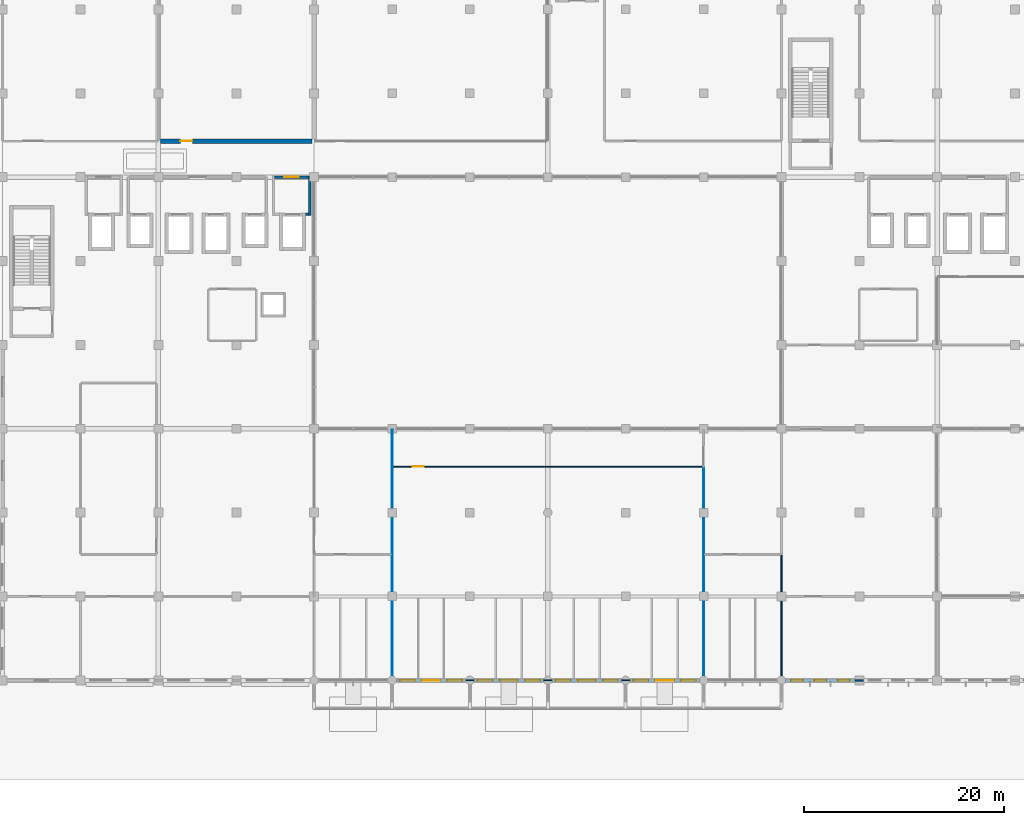
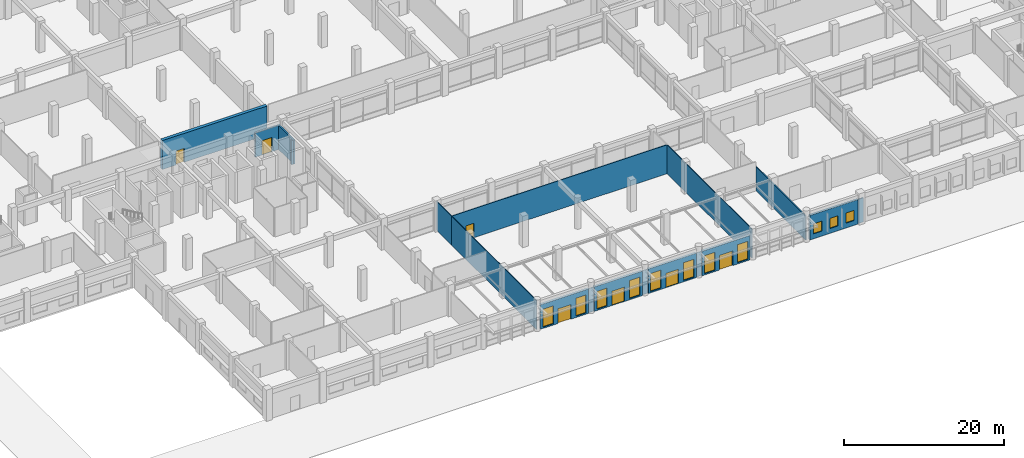
# One storey, part 49 of 74: 18 walls, 11 windows, 7 doors, 18 openings.
"""IFC4 building model written with IfcOpenShell, lengths in metres."""

from ifc_helpers import new_model, si_unit, direction, frame, frame_2d, origin, place, context, subcontext, project, spatial, rectangle, extrude, material, layer, layer_set, type_object, element, fill, save


model = new_model("IFC4")

# Units and contexts
model_context = context("Model", 3, precision=1e-05, world=origin(), true_north=direction((0.0, 1.0)))
body_context = subcontext(model_context, "Body", "Model", "MODEL_VIEW")
ifc_project = project(units=[si_unit("LENGTHUNIT", "METRE"), si_unit("AREAUNIT", "SQUARE_METRE"), si_unit("VOLUMEUNIT", "CUBIC_METRE"), si_unit("PLANEANGLEUNIT", "RADIAN"), si_unit("MASSUNIT", "GRAM", prefix="KILO"), si_unit("THERMODYNAMICTEMPERATUREUNIT", "KELVIN"), si_unit("POWERUNIT", "WATT")], contexts=[model_context])

# Site, building, storey
site_placement = place(None, origin())
site = spatial("IfcSite", under=ifc_project, at=site_placement, CompositionType="ELEMENT")
building_placement = place(site_placement, origin())
building = spatial("IfcBuilding", under=site, at=building_placement, Name="Srebrne Nadtorze General Hospital", CompositionType="ELEMENT")
storey_placement = place(building_placement, origin())
storey = spatial("IfcBuildingStorey", under=building, at=storey_placement, Name="L00", CompositionType="ELEMENT", Elevation=0.0)

# Walls
ifc_material_1 = material(Name="Gypsum Healthcare Partition")
ifc_layer_1 = layer(ifc_material_1, 0.139892578125)
ifc_layer_set_1 = layer_set([ifc_layer_1], Name="Gypsum Healthcare Partition")
wall_type_1 = type_object("IfcWallType", Name="Clinical partition 140", PredefinedType="PARTITIONING", material=ifc_layer_set_1)
wall_1_placement = place(storey_placement, frame((101.39990234375, 0.0849609375, 0.0), z_axis=(0.0, 0.0, 1.0), x_axis=(0.0, 1.0, 0.0)))
element("IfcWall", 1, at=wall_1_placement, inside=storey, type_object=wall_type_1, Name="Hospital Health Shop wall WL-INT-L00-1294", PredefinedType="PARTITIONING", context=body_context, shape_type="SweptSolid", body=[
    extrude(rectangle(XDim=12.429931640625, YDim=0.139892578125, at=frame_2d((6.21484375, 0.0))), origin(), (0.0, 0.0, 1.0), 3.699951171875),
])
ifc_material_2 = material(Name="Gypsum Healthcare Partition")
ifc_layer_2 = layer(ifc_material_2, 0.159912109375)
ifc_layer_set_2 = layer_set([ifc_layer_2], Name="Gypsum Healthcare Partition")
wall_type_2 = type_object("IfcWallType", Name="Clinical partition 160", PredefinedType="PARTITIONING", material=ifc_layer_set_2)
wall_2_placement = place(storey_placement, frame((108.7900390625, 0.0, 0.0), z_axis=(0.0, 0.0, 1.0), x_axis=(1.0, 0.0, 0.0)))
element("IfcWall", 2, at=wall_2_placement, inside=storey, type_object=wall_type_2, Name="Outpatient Consultation Clinic wall WL-INT-L00-1361", PredefinedType="PARTITIONING", context=body_context, shape_type="SweptSolid", body=[
    extrude(rectangle(XDim=0.820068359375, YDim=0.159912109375, at=frame_2d((0.41015625, 0.0))), origin(), (0.0, 0.0, 1.0), 3.699951171875),
])
ifc_material_3 = material(Name="Gypsum Healthcare Partition")
ifc_layer_3 = layer(ifc_material_3, 0.239990234375)
ifc_layer_set_3 = layer_set([ifc_layer_3], Name="Gypsum Healthcare Partition")
wall_type_3 = type_object("IfcWallType", Name="Corridor fire wall 240", PredefinedType="STANDARD", material=ifc_layer_set_3)
wall_3_placement = place(storey_placement, frame((54.139892578125, 46.570068359375, 0.0), z_axis=(0.0, 0.0, 1.0), x_axis=(0.0, 1.0, 0.0)))
element("IfcWall", 3, at=wall_3_placement, inside=storey, type_object=wall_type_3, Name="FF lift lobby wall WL-INT-L00-0897", PredefinedType="STANDARD", context=body_context, shape_type="SweptSolid", body=[
    extrude(rectangle(XDim=3.949951171875, YDim=0.239990234375, at=frame_2d((1.97509765625, 0.0))), origin(), (0.0, 0.0, 1.0), 3.699951171875),
])
wall_4_placement = place(storey_placement, frame((53.75, 46.68994140625, 0.0), z_axis=(0.0, 0.0, 1.0), x_axis=(1.0, 0.0, 0.0)))
element("IfcWall", 4, at=wall_4_placement, inside=storey, type_object=wall_type_3, Name="FF lift lobby return wall WL-INT-L00-0899", PredefinedType="STANDARD", context=body_context, shape_type="SweptSolid", body=[
    extrude(rectangle(XDim=0.27001953125, YDim=0.239990234375, at=frame_2d((0.135009765625, 0.0))), origin(), (0.0, 0.0, 1.0), 3.699951171875),
])

# Wall, opening, door
wall_5_placement = place(storey_placement, frame((50.64990234375, 50.39990234375, 0.0), z_axis=(0.0, 0.0, 1.0), x_axis=(1.0, 0.0, 0.0)))
wall_5 = element("IfcWall", 5, at=wall_5_placement, inside=storey, type_object=wall_type_3, Name="FF lift lobby front wall WL-INT-L00-0900", PredefinedType="STANDARD", context=body_context, shape_type="SweptSolid", body=[
    extrude(rectangle(XDim=3.3701171875, YDim=0.239990234375, at=frame_2d((1.68505859375, 0.0))), origin(), (0.0, 0.0, 1.0), 3.699951171875),
])
opening_1_placement = place(wall_5_placement, frame((0.9599609375, 0.0, 0.0)))
opening_1 = element("IfcOpeningElement", 6, at=opening_1_placement, cuts=wall_5, Name="Opening D-L00-0123", PredefinedType="OPENING", context=body_context, shape_type="SweptSolid", body=[
    extrude(rectangle(XDim=1.449951171875, YDim=2.199951171875, at=frame_2d((0.72509765625, 1.10009765625))), frame((0.0, 0.1318359375, 0.0), z_axis=(0.0, -1.0, 0.0), x_axis=(1.0, 0.0, 0.0)), (0.0, 0.0, 1.0), 0.263916015625),
])
ifc_material_4 = material(Name="Anodised Aluminium", Category="aluminium")
door_type_1 = type_object("IfcDoorType", Name="Double leaf door 1450x2200", OperationType="DOUBLE_DOOR_SINGLE_SWING", PredefinedType="DOOR", material=ifc_material_4)
door_1_placement = place(opening_1_placement, origin())
door_1 = element("IfcDoor", 7, at=door_1_placement, inside=storey, type_object=door_type_1, Name="Firefighting lift lobby door D-L00-0123", OperationType="DOUBLE_DOOR_SINGLE_SWING", OverallHeight=2.199951171875, OverallWidth=1.449951171875, PredefinedType="DOOR", context=body_context, shape_type="SweptSolid", body=[
    extrude(rectangle(XDim=1.449951171875, YDim=2.199951171875, at=frame_2d((0.72509765625, 1.10009765625))), frame((0.0, 0.02490234375, 0.0), z_axis=(0.0, -1.0, 0.0), x_axis=(1.0, 0.0, 0.0)), (0.0, 0.0, 1.0), 0.050048828125),
])
fill(opening_1, door_1)

# Wall, openings, windows
ifc_material_5 = material(Name="Concrete C40/50 precast", Category="concrete")
ifc_layer_4 = layer(ifc_material_5, 0.300048828125)
ifc_layer_set_4 = layer_set([ifc_layer_4], Name="Concrete C40/50 precast")
wall_type_4 = type_object("IfcWallType", Name="Limestone precast wall 300", PredefinedType="STANDARD", material=ifc_layer_set_4)
wall_6_placement = place(storey_placement, frame((101.824951171875, 0.0, 0.0), z_axis=(0.0, 0.0, 1.0), x_axis=(1.0, 0.0, 0.0)))
wall_6 = element("IfcWall", 8, at=wall_6_placement, inside=storey, type_object=wall_type_4, Name="Exterior wall WL-ENV-L00-0085", PredefinedType="STANDARD", context=body_context, shape_type="SweptSolid", body=[
    extrude(rectangle(XDim=6.925048828125, YDim=0.300048828125, at=frame_2d((3.46240234375, 0.0))), origin(), (0.0, 0.0, 1.0), 3.75),
])
opening_2_placement = place(wall_6_placement, frame((0.534912109375, 0.0, 0.75)))
opening_2 = element("IfcOpeningElement", 9, at=opening_2_placement, cuts=wall_6, Name="Opening WN-L00-0015", PredefinedType="OPENING", context=body_context, shape_type="SweptSolid", body=[
    extrude(rectangle(XDim=1.199951171875, YDim=1.550048828125, at=frame_2d((0.60009765625, 0.77490234375))), frame((0.0, 0.162109375, 0.0), z_axis=(0.0, -1.0, 0.0), x_axis=(1.0, 0.0, 0.0)), (0.0, 0.0, 1.0), 0.323974609375),
])
opening_3_placement = place(wall_6_placement, frame((2.875, 0.0, 0.75)))
opening_3 = element("IfcOpeningElement", 10, at=opening_3_placement, cuts=wall_6, Name="Opening WN-L00-0016", PredefinedType="OPENING", context=body_context, shape_type="SweptSolid", body=[
    extrude(rectangle(XDim=1.199951171875, YDim=1.550048828125, at=frame_2d((0.60009765625, 0.77490234375))), frame((0.0, 0.162109375, 0.0), z_axis=(0.0, -1.0, 0.0), x_axis=(1.0, 0.0, 0.0)), (0.0, 0.0, 1.0), 0.323974609375),
])
opening_4_placement = place(wall_6_placement, frame((5.215087890625, 0.0, 0.75)))
opening_4 = element("IfcOpeningElement", 11, at=opening_4_placement, cuts=wall_6, Name="Opening WN-L00-0017", PredefinedType="OPENING", context=body_context, shape_type="SweptSolid", body=[
    extrude(rectangle(XDim=1.199951171875, YDim=1.550048828125, at=frame_2d((0.60009765625, 0.77490234375))), frame((0.0, 0.162109375, 0.0), z_axis=(0.0, -1.0, 0.0), x_axis=(1.0, 0.0, 0.0)), (0.0, 0.0, 1.0), 0.323974609375),
])
ifc_material_6 = material(Name="Triple Low-E Glazing", Category="glass")
window_type_1 = type_object("IfcWindowType", Name="Punched clinical window 1200x1550", PartitioningType="SINGLE_PANEL", PredefinedType="WINDOW", material=ifc_material_6)
window_1_placement = place(opening_2_placement, origin())
window_1 = element("IfcWindow", 12, at=window_1_placement, inside=storey, type_object=window_type_1, Name="Clinical window WN-L00-0015", OverallHeight=1.550048828125, OverallWidth=1.199951171875, PartitioningType="SINGLE_PANEL", PredefinedType="WINDOW", context=body_context, shape_type="SweptSolid", body=[
    extrude(rectangle(XDim=1.199951171875, YDim=1.550048828125, at=frame_2d((0.60009765625, 0.77490234375))), frame((0.0, 0.030029296875, 0.0), z_axis=(0.0, -1.0, 0.0), x_axis=(1.0, 0.0, 0.0)), (0.0, 0.0, 1.0), 0.06005859375),
])
fill(opening_2, window_1)
window_2_placement = place(opening_3_placement, origin())
window_2 = element("IfcWindow", 13, at=window_2_placement, inside=storey, type_object=window_type_1, Name="Clinical window WN-L00-0016", OverallHeight=1.550048828125, OverallWidth=1.199951171875, PartitioningType="SINGLE_PANEL", PredefinedType="WINDOW", context=body_context, shape_type="SweptSolid", body=[
    extrude(rectangle(XDim=1.199951171875, YDim=1.550048828125, at=frame_2d((0.60009765625, 0.77490234375))), frame((0.0, 0.030029296875, 0.0), z_axis=(0.0, -1.0, 0.0), x_axis=(1.0, 0.0, 0.0)), (0.0, 0.0, 1.0), 0.06005859375),
])
fill(opening_3, window_2)
window_3_placement = place(opening_4_placement, origin())
window_3 = element("IfcWindow", 14, at=window_3_placement, inside=storey, type_object=window_type_1, Name="Clinical window WN-L00-0017", OverallHeight=1.550048828125, OverallWidth=1.199951171875, PartitioningType="SINGLE_PANEL", PredefinedType="WINDOW", context=body_context, shape_type="SweptSolid", body=[
    extrude(rectangle(XDim=1.199951171875, YDim=1.550048828125, at=frame_2d((0.60009765625, 0.77490234375))), frame((0.0, 0.030029296875, 0.0), z_axis=(0.0, -1.0, 0.0), x_axis=(1.0, 0.0, 0.0)), (0.0, 0.0, 1.0), 0.06005859375),
])
fill(opening_4, window_3)

# Wall, opening, door
ifc_material_7 = material(Name="Concrete C35/45", Category="concrete")
ifc_layer_5 = layer(ifc_material_7, 0.449951171875)
ifc_layer_set_5 = layer_set([ifc_layer_5], Name="Concrete C35/45")
wall_type_5 = type_object("IfcWallType", Name="Radiation shield wall 450", PredefinedType="STANDARD", material=ifc_layer_set_5)
wall_7_placement = place(storey_placement, frame((39.215087890625, 54.0, 0.0), z_axis=(0.0, 0.0, 1.0), x_axis=(1.0, 0.0, 0.0)))
wall_7 = element("IfcWall", 15, at=wall_7_placement, inside=storey, type_object=wall_type_5, Name="Emergency Department Trauma CT wall WL-INT-L00-1317", PredefinedType="STANDARD", context=body_context, shape_type="SweptSolid", body=[
    extrude(rectangle(XDim=15.169921875, YDim=0.449951171875, at=frame_2d((7.5849609375, 0.0))), origin(), (0.0, 0.0, 1.0), 4.429931640625),
])
opening_5_placement = place(wall_7_placement, frame((1.98974609375, 0.0, 0.0)))
opening_5 = element("IfcOpeningElement", 16, at=opening_5_placement, cuts=wall_7, Name="Opening D-L00-0195", PredefinedType="OPENING", context=body_context, shape_type="SweptSolid", body=[
    extrude(rectangle(XDim=1.199951171875, YDim=2.14990234375, at=frame_2d((0.60009765625, 1.074951171875))), frame((0.0, 0.23681640625, 0.0), z_axis=(0.0, -1.0, 0.0), x_axis=(1.0, 0.0, 0.0)), (0.0, 0.0, 1.0), 0.473876953125),
])
ifc_material_8 = material(Name="Anodised Aluminium", Category="aluminium")
door_type_2 = type_object("IfcDoorType", Name="Single leaf door 1200x2150", OperationType="NOTDEFINED", PredefinedType="DOOR", material=ifc_material_8)
door_2_placement = place(opening_5_placement, origin())
door_2 = element("IfcDoor", 17, at=door_2_placement, inside=storey, type_object=door_type_2, Name="Emergency Department Trauma CT door D-L00-0195", OperationType="SINGLE_SWING_LEFT", OverallHeight=2.14990234375, OverallWidth=1.199951171875, PredefinedType="DOOR", context=body_context, shape_type="SweptSolid", body=[
    extrude(rectangle(XDim=1.199951171875, YDim=2.14990234375, at=frame_2d((0.60009765625, 1.074951171875))), frame((0.0, 0.02490234375, 0.0), z_axis=(0.0, -1.0, 0.0), x_axis=(1.0, 0.0, 0.0)), (0.0, 0.0, 1.0), 0.050048828125),
])
fill(opening_5, door_2)

ifc_material_9 = material(Name="Gypsum Healthcare Partition")
ifc_layer_6 = layer(ifc_material_9, 0.10009765625)
ifc_layer_set_6 = layer_set([ifc_layer_6], Name="Gypsum Healthcare Partition")
wall_type_6 = type_object("IfcWallType", Name="Shaft lining wall 100", PredefinedType="PARTITIONING", material=ifc_layer_set_6)
wall_8_placement = place(storey_placement, frame((62.485107421875, 21.39990234375, 0.0), z_axis=(0.0, 0.0, 1.0), x_axis=(1.0, 0.0, 0.0)))
wall_8 = element("IfcWall", 18, at=wall_8_placement, inside=storey, type_object=wall_type_6, Name="Main Reception Hall wall WL-INT-L00-1285", PredefinedType="PARTITIONING", context=body_context, shape_type="SweptSolid", body=[
    extrude(rectangle(XDim=31.02978515625, YDim=0.10009765625, at=frame_2d((15.514892578125, 0.0))), origin(), (0.0, 0.0, 1.0), 4.429931640625),
])
opening_6_placement = place(wall_8_placement, frame((1.97998046875, 0.0, 0.0)))
opening_6 = element("IfcOpeningElement", 19, at=opening_6_placement, cuts=wall_8, Name="Opening D-L00-0186", PredefinedType="OPENING", context=body_context, shape_type="SweptSolid", body=[
    extrude(rectangle(XDim=1.1201171875, YDim=2.199951171875, at=frame_2d((0.56005859375, 1.10009765625))), frame((0.0, 0.06201171875, 0.0), z_axis=(0.0, -1.0, 0.0), x_axis=(1.0, 0.0, 0.0)), (0.0, 0.0, 1.0), 0.1240234375),
])
ifc_material_10 = material(Name="Anodised Aluminium", Category="aluminium")
door_type_3 = type_object("IfcDoorType", Name="Single leaf door 1120x2200", OperationType="NOTDEFINED", PredefinedType="DOOR", material=ifc_material_10)
door_3_placement = place(opening_6_placement, frame((1.1201171875, 0.0, 0.0), z_axis=(0.0, 0.0, 1.0), x_axis=(-1.0, 0.0, 0.0)))
door_3 = element("IfcDoor", 20, at=door_3_placement, inside=storey, type_object=door_type_3, Name="Main Reception Hall door D-L00-0186", OperationType="SINGLE_SWING_RIGHT", OverallHeight=2.199951171875, OverallWidth=1.1201171875, PredefinedType="DOOR", context=body_context, shape_type="SweptSolid", body=[
    extrude(rectangle(XDim=1.1201171875, YDim=2.199951171875, at=frame_2d((0.56005859375, 1.10009765625))), frame((0.0, 0.02490234375, 0.0), z_axis=(0.0, -1.0, 0.0), x_axis=(1.0, 0.0, 0.0)), (0.0, 0.0, 1.0), 0.050048828125),
])
fill(opening_6, door_3)

# Walls
for number, where, z_axis, x_axis, name in (
    (21, (69.81494140625, 0.0, 0.0), (0.0, 0.0, 1.0), (1.0, 0.0, 0.0), "Main Reception Hall wall WL-INT-L00-1286"),
    (22, (77.614990234375, 0.0, 0.0), (0.0, 0.0, 1.0), (1.0, 0.0, 0.0), "Main Reception Hall wall WL-INT-L00-1287"),
    (23, (85.4150390625, 0.0, 0.0), (0.0, 0.0, 1.0), (1.0, 0.0, 0.0), "Main Reception Hall wall WL-INT-L00-1288"),
):
    element("IfcWall", number, at=place(storey_placement, frame(where, z_axis=z_axis, x_axis=x_axis)), inside=storey, type_object=wall_type_6, Name=name, PredefinedType="PARTITIONING", context=body_context, shape_type="SweptSolid", body=[
        extrude(rectangle(XDim=0.77001953125, YDim=0.10009765625, at=frame_2d((0.385009765625, 0.0))), origin(), (0.0, 0.0, 1.0), 3.699951171875),
    ])
for number, where, z_axis, x_axis, name in (
    (24, (62.39990234375, 0.0849609375, 0.0), (0.0, 0.0, 1.0), (0.0, 1.0, 0.0), "Main Reception Hall wall WL-INT-L00-1289"),
    (25, (93.60009765625, 0.0849609375, 0.0), (0.0, 0.0, 1.0), (0.0, 1.0, 0.0), "Main Reception Hall wall WL-INT-L00-1290"),
):
    element("IfcWall", number, at=place(storey_placement, frame(where, z_axis=z_axis, x_axis=x_axis)), inside=storey, type_object=wall_type_6, Name=name, PredefinedType="PARTITIONING", context=body_context, shape_type="SweptSolid", body=[
        extrude(rectangle(XDim=21.22998046875, YDim=0.10009765625, at=frame_2d((10.614990234375, 0.0))), origin(), (0.0, 0.0, 1.0), 4.429931640625),
    ])
wall_9_placement = place(storey_placement, frame((62.39990234375, 21.35498046875, 0.0), z_axis=(0.0, 0.0, 1.0), x_axis=(0.0, 1.0, 0.0)))
element("IfcWall", 26, at=wall_9_placement, inside=storey, type_object=wall_type_6, Name="Community Health Room wall WL-INT-L00-1296", PredefinedType="PARTITIONING", context=body_context, shape_type="SweptSolid", body=[
    extrude(rectangle(XDim=3.760009765625, YDim=0.10009765625, at=frame_2d((1.8798828125, 0.0))), origin(), (0.0, 0.0, 1.0), 4.429931640625),
])

# Wall, openings, door, windows
ifc_material_11 = material(Name="Concrete C35/45", Category="concrete")
ifc_layer_7 = layer(ifc_material_11, 0.320068359375)
ifc_layer_set_7 = layer_set([ifc_layer_7], Name="Concrete C35/45")
wall_type_7 = type_object("IfcWallType", Name="Spandrel wall 320", PredefinedType="STANDARD", material=ifc_layer_set_7)
wall_10_placement = place(storey_placement, frame((62.824951171875, 0.0, 0.0), z_axis=(0.0, 0.0, 1.0), x_axis=(1.0, 0.0, 0.0)))
wall_10 = element("IfcWall", 27, at=wall_10_placement, inside=storey, type_object=wall_type_7, Name="Exterior wall WL-ENV-L00-0081", PredefinedType="STANDARD", context=body_context, shape_type="SweptSolid", body=[
    extrude(rectangle(XDim=6.949951171875, YDim=0.320068359375, at=frame_2d((3.47509765625, 0.0))), origin(), (0.0, 0.0, 1.0), 3.75),
])
opening_7_placement = place(wall_10_placement, frame((2.52490234375, 0.0, 0.0)))
opening_7 = element("IfcOpeningElement", 28, at=opening_7_placement, cuts=wall_10, Name="Opening D-L00-E002", PredefinedType="OPENING", context=body_context, shape_type="SweptSolid", body=[
    extrude(rectangle(XDim=1.89990234375, YDim=2.25, at=frame_2d((0.949951171875, 1.125))), frame((0.0, 0.171875, 0.0), z_axis=(0.0, -1.0, 0.0), x_axis=(1.0, 0.0, 0.0)), (0.0, 0.0, 1.0), 0.343994140625),
])
opening_8_placement = place(wall_10_placement, frame((0.35009765625, 0.0, 0.199951171875)))
opening_8 = element("IfcOpeningElement", 29, at=opening_8_placement, cuts=wall_10, Name="Opening WN-L00-0007", PredefinedType="OPENING", context=body_context, shape_type="SweptSolid", body=[
    extrude(rectangle(XDim=1.5, YDim=2.75, at=frame_2d((0.75, 1.375))), frame((0.0, 0.171875, 0.0), z_axis=(0.0, -1.0, 0.0), x_axis=(1.0, 0.0, 0.0)), (0.0, 0.0, 1.0), 0.343994140625),
])
opening_9_placement = place(wall_10_placement, frame((5.10009765625, 0.0, 0.199951171875)))
opening_9 = element("IfcOpeningElement", 30, at=opening_9_placement, cuts=wall_10, Name="Opening WN-L00-0008", PredefinedType="OPENING", context=body_context, shape_type="SweptSolid", body=[
    extrude(rectangle(XDim=1.5, YDim=2.75, at=frame_2d((0.75, 1.375))), frame((0.0, 0.171875, 0.0), z_axis=(0.0, -1.0, 0.0), x_axis=(1.0, 0.0, 0.0)), (0.0, 0.0, 1.0), 0.343994140625),
])
ifc_material_12 = material(Name="Anodised Aluminium", Category="aluminium")
door_type_4 = type_object("IfcDoorType", Name="Double leaf door 1900x2250", OperationType="DOUBLE_DOOR_SINGLE_SWING", PredefinedType="DOOR", material=ifc_material_12)
door_4_placement = place(opening_7_placement, frame((1.89990234375, 0.0, 0.0), z_axis=(0.0, 0.0, 1.0), x_axis=(-1.0, 0.0, 0.0)))
door_4 = element("IfcDoor", 31, at=door_4_placement, inside=storey, type_object=door_type_4, Name="Exterior door D-L00-E002", OperationType="DOUBLE_DOOR_SINGLE_SWING", OverallHeight=2.25, OverallWidth=1.89990234375, PredefinedType="DOOR", context=body_context, shape_type="SweptSolid", body=[
    extrude(rectangle(XDim=1.89990234375, YDim=2.25, at=frame_2d((0.949951171875, 1.125))), frame((0.0, 0.02490234375, 0.0), z_axis=(0.0, -1.0, 0.0), x_axis=(1.0, 0.0, 0.0)), (0.0, 0.0, 1.0), 0.050048828125),
])
fill(opening_7, door_4)
ifc_material_13 = material(Name="Triple Low-E Glazing", Category="glass")
window_type_2 = type_object("IfcWindowType", Name="Punched clinical window 1500x2750", PartitioningType="SINGLE_PANEL", PredefinedType="WINDOW", material=ifc_material_13)
window_4_placement = place(opening_8_placement, origin())
window_4 = element("IfcWindow", 32, at=window_4_placement, inside=storey, type_object=window_type_2, Name="Entrance foyer sidelight WN-L00-0007", OverallHeight=2.75, OverallWidth=1.5, PartitioningType="SINGLE_PANEL", PredefinedType="WINDOW", context=body_context, shape_type="SweptSolid", body=[
    extrude(rectangle(XDim=1.5, YDim=2.75, at=frame_2d((0.75, 1.375))), frame((0.0, 0.030029296875, 0.0), z_axis=(0.0, -1.0, 0.0), x_axis=(1.0, 0.0, 0.0)), (0.0, 0.0, 1.0), 0.06005859375),
])
fill(opening_8, window_4)
window_5_placement = place(opening_9_placement, origin())
window_5 = element("IfcWindow", 33, at=window_5_placement, inside=storey, type_object=window_type_2, Name="Entrance foyer sidelight WN-L00-0008", OverallHeight=2.75, OverallWidth=1.5, PartitioningType="SINGLE_PANEL", PredefinedType="WINDOW", context=body_context, shape_type="SweptSolid", body=[
    extrude(rectangle(XDim=1.5, YDim=2.75, at=frame_2d((0.75, 1.375))), frame((0.0, 0.030029296875, 0.0), z_axis=(0.0, -1.0, 0.0), x_axis=(1.0, 0.0, 0.0)), (0.0, 0.0, 1.0), 0.06005859375),
])
fill(opening_9, window_5)

wall_11_placement = place(storey_placement, frame((70.625, 0.0, 0.0), z_axis=(0.0, 0.0, 1.0), x_axis=(1.0, 0.0, 0.0)))
wall_11 = element("IfcWall", 34, at=wall_11_placement, inside=storey, type_object=wall_type_7, Name="Exterior wall WL-ENV-L00-0082", PredefinedType="STANDARD", context=body_context, shape_type="SweptSolid", body=[
    extrude(rectangle(XDim=6.949951171875, YDim=0.320068359375, at=frame_2d((3.47509765625, 0.0))), origin(), (0.0, 0.0, 1.0), 3.75),
])
opening_10_placement = place(wall_11_placement, frame((2.574951171875, 0.0, 0.0)))
opening_10 = element("IfcOpeningElement", 35, at=opening_10_placement, cuts=wall_11, Name="Opening D-L00-E003", PredefinedType="OPENING", context=body_context, shape_type="SweptSolid", body=[
    extrude(rectangle(XDim=1.800048828125, YDim=2.199951171875, at=frame_2d((0.89990234375, 1.10009765625))), frame((0.0, 0.171875, 0.0), z_axis=(0.0, -1.0, 0.0), x_axis=(1.0, 0.0, 0.0)), (0.0, 0.0, 1.0), 0.343994140625),
])
opening_11_placement = place(wall_11_placement, frame((0.35009765625, 0.0, 0.199951171875)))
opening_11 = element("IfcOpeningElement", 36, at=opening_11_placement, cuts=wall_11, Name="Opening WN-L00-0009", PredefinedType="OPENING", context=body_context, shape_type="SweptSolid", body=[
    extrude(rectangle(XDim=1.5, YDim=2.75, at=frame_2d((0.75, 1.375))), frame((0.0, 0.171875, 0.0), z_axis=(0.0, -1.0, 0.0), x_axis=(1.0, 0.0, 0.0)), (0.0, 0.0, 1.0), 0.343994140625),
])
opening_12_placement = place(wall_11_placement, frame((5.10009765625, 0.0, 0.199951171875)))
opening_12 = element("IfcOpeningElement", 37, at=opening_12_placement, cuts=wall_11, Name="Opening WN-L00-0010", PredefinedType="OPENING", context=body_context, shape_type="SweptSolid", body=[
    extrude(rectangle(XDim=1.5, YDim=2.75, at=frame_2d((0.75, 1.375))), frame((0.0, 0.171875, 0.0), z_axis=(0.0, -1.0, 0.0), x_axis=(1.0, 0.0, 0.0)), (0.0, 0.0, 1.0), 0.343994140625),
])
ifc_material_14 = material(Name="Anodised Aluminium", Category="aluminium")
door_type_5 = type_object("IfcDoorType", Name="Double leaf door 1800x2200", OperationType="DOUBLE_DOOR_SINGLE_SWING", PredefinedType="DOOR", material=ifc_material_14)
door_5_placement = place(opening_10_placement, frame((1.800048828125, 0.0, 0.0), z_axis=(0.0, 0.0, 1.0), x_axis=(-1.0, 0.0, 0.0)))
door_5 = element("IfcDoor", 38, at=door_5_placement, inside=storey, type_object=door_type_5, Name="Exterior door D-L00-E003", OperationType="DOUBLE_DOOR_SINGLE_SWING", OverallHeight=2.199951171875, OverallWidth=1.800048828125, PredefinedType="DOOR", context=body_context, shape_type="SweptSolid", body=[
    extrude(rectangle(XDim=1.800048828125, YDim=2.199951171875, at=frame_2d((0.89990234375, 1.10009765625))), frame((0.0, 0.02490234375, 0.0), z_axis=(0.0, -1.0, 0.0), x_axis=(1.0, 0.0, 0.0)), (0.0, 0.0, 1.0), 0.050048828125),
])
fill(opening_10, door_5)
window_6_placement = place(opening_11_placement, origin())
window_6 = element("IfcWindow", 39, at=window_6_placement, inside=storey, type_object=window_type_2, Name="Entrance foyer sidelight WN-L00-0009", OverallHeight=2.75, OverallWidth=1.5, PartitioningType="SINGLE_PANEL", PredefinedType="WINDOW", context=body_context, shape_type="SweptSolid", body=[
    extrude(rectangle(XDim=1.5, YDim=2.75, at=frame_2d((0.75, 1.375))), frame((0.0, 0.030029296875, 0.0), z_axis=(0.0, -1.0, 0.0), x_axis=(1.0, 0.0, 0.0)), (0.0, 0.0, 1.0), 0.06005859375),
])
fill(opening_11, window_6)
window_7_placement = place(opening_12_placement, origin())
window_7 = element("IfcWindow", 40, at=window_7_placement, inside=storey, type_object=window_type_2, Name="Entrance foyer sidelight WN-L00-0010", OverallHeight=2.75, OverallWidth=1.5, PartitioningType="SINGLE_PANEL", PredefinedType="WINDOW", context=body_context, shape_type="SweptSolid", body=[
    extrude(rectangle(XDim=1.5, YDim=2.75, at=frame_2d((0.75, 1.375))), frame((0.0, 0.030029296875, 0.0), z_axis=(0.0, -1.0, 0.0), x_axis=(1.0, 0.0, 0.0)), (0.0, 0.0, 1.0), 0.06005859375),
])
fill(opening_12, window_7)

wall_12_placement = place(storey_placement, frame((78.425048828125, 0.0, 0.0), z_axis=(0.0, 0.0, 1.0), x_axis=(1.0, 0.0, 0.0)))
wall_12 = element("IfcWall", 41, at=wall_12_placement, inside=storey, type_object=wall_type_7, Name="Exterior wall WL-ENV-L00-0083", PredefinedType="STANDARD", context=body_context, shape_type="SweptSolid", body=[
    extrude(rectangle(XDim=6.949951171875, YDim=0.320068359375, at=frame_2d((3.47509765625, 0.0))), origin(), (0.0, 0.0, 1.0), 3.75),
])
opening_13_placement = place(wall_12_placement, frame((2.574951171875, 0.0, 0.0)))
opening_13 = element("IfcOpeningElement", 42, at=opening_13_placement, cuts=wall_12, Name="Opening D-L00-E004", PredefinedType="OPENING", context=body_context, shape_type="SweptSolid", body=[
    extrude(rectangle(XDim=1.800048828125, YDim=2.199951171875, at=frame_2d((0.89990234375, 1.10009765625))), frame((0.0, 0.171875, 0.0), z_axis=(0.0, -1.0, 0.0), x_axis=(1.0, 0.0, 0.0)), (0.0, 0.0, 1.0), 0.343994140625),
])
opening_14_placement = place(wall_12_placement, frame((0.35009765625, 0.0, 0.199951171875)))
opening_14 = element("IfcOpeningElement", 43, at=opening_14_placement, cuts=wall_12, Name="Opening WN-L00-0011", PredefinedType="OPENING", context=body_context, shape_type="SweptSolid", body=[
    extrude(rectangle(XDim=1.5, YDim=2.75, at=frame_2d((0.75, 1.375))), frame((0.0, 0.171875, 0.0), z_axis=(0.0, -1.0, 0.0), x_axis=(1.0, 0.0, 0.0)), (0.0, 0.0, 1.0), 0.343994140625),
])
opening_15_placement = place(wall_12_placement, frame((5.10009765625, 0.0, 0.199951171875)))
opening_15 = element("IfcOpeningElement", 44, at=opening_15_placement, cuts=wall_12, Name="Opening WN-L00-0012", PredefinedType="OPENING", context=body_context, shape_type="SweptSolid", body=[
    extrude(rectangle(XDim=1.5, YDim=2.75, at=frame_2d((0.75, 1.375))), frame((0.0, 0.171875, 0.0), z_axis=(0.0, -1.0, 0.0), x_axis=(1.0, 0.0, 0.0)), (0.0, 0.0, 1.0), 0.343994140625),
])
door_6_placement = place(opening_13_placement, frame((1.800048828125, 0.0, 0.0), z_axis=(0.0, 0.0, 1.0), x_axis=(-1.0, 0.0, 0.0)))
door_6 = element("IfcDoor", 45, at=door_6_placement, inside=storey, type_object=door_type_5, Name="Exterior door D-L00-E004", OperationType="DOUBLE_DOOR_SINGLE_SWING", OverallHeight=2.199951171875, OverallWidth=1.800048828125, PredefinedType="DOOR", context=body_context, shape_type="SweptSolid", body=[
    extrude(rectangle(XDim=1.800048828125, YDim=2.199951171875, at=frame_2d((0.89990234375, 1.10009765625))), frame((0.0, 0.02490234375, 0.0), z_axis=(0.0, -1.0, 0.0), x_axis=(1.0, 0.0, 0.0)), (0.0, 0.0, 1.0), 0.050048828125),
])
fill(opening_13, door_6)
window_8_placement = place(opening_14_placement, origin())
window_8 = element("IfcWindow", 46, at=window_8_placement, inside=storey, type_object=window_type_2, Name="Entrance foyer sidelight WN-L00-0011", OverallHeight=2.75, OverallWidth=1.5, PartitioningType="SINGLE_PANEL", PredefinedType="WINDOW", context=body_context, shape_type="SweptSolid", body=[
    extrude(rectangle(XDim=1.5, YDim=2.75, at=frame_2d((0.75, 1.375))), frame((0.0, 0.030029296875, 0.0), z_axis=(0.0, -1.0, 0.0), x_axis=(1.0, 0.0, 0.0)), (0.0, 0.0, 1.0), 0.06005859375),
])
fill(opening_14, window_8)
window_9_placement = place(opening_15_placement, origin())
window_9 = element("IfcWindow", 47, at=window_9_placement, inside=storey, type_object=window_type_2, Name="Entrance foyer sidelight WN-L00-0012", OverallHeight=2.75, OverallWidth=1.5, PartitioningType="SINGLE_PANEL", PredefinedType="WINDOW", context=body_context, shape_type="SweptSolid", body=[
    extrude(rectangle(XDim=1.5, YDim=2.75, at=frame_2d((0.75, 1.375))), frame((0.0, 0.030029296875, 0.0), z_axis=(0.0, -1.0, 0.0), x_axis=(1.0, 0.0, 0.0)), (0.0, 0.0, 1.0), 0.06005859375),
])
fill(opening_15, window_9)

wall_13_placement = place(storey_placement, frame((86.22509765625, 0.0, 0.0), z_axis=(0.0, 0.0, 1.0), x_axis=(1.0, 0.0, 0.0)))
wall_13 = element("IfcWall", 48, at=wall_13_placement, inside=storey, type_object=wall_type_7, Name="Exterior wall WL-ENV-L00-0084", PredefinedType="STANDARD", context=body_context, shape_type="SweptSolid", body=[
    extrude(rectangle(XDim=6.949951171875, YDim=0.320068359375, at=frame_2d((3.47509765625, 0.0))), origin(), (0.0, 0.0, 1.0), 3.75),
])
opening_16_placement = place(wall_13_placement, frame((2.52490234375, 0.0, 0.0)))
opening_16 = element("IfcOpeningElement", 49, at=opening_16_placement, cuts=wall_13, Name="Opening D-L00-E005", PredefinedType="OPENING", context=body_context, shape_type="SweptSolid", body=[
    extrude(rectangle(XDim=1.89990234375, YDim=2.25, at=frame_2d((0.949951171875, 1.125))), frame((0.0, 0.171875, 0.0), z_axis=(0.0, -1.0, 0.0), x_axis=(1.0, 0.0, 0.0)), (0.0, 0.0, 1.0), 0.343994140625),
])
opening_17_placement = place(wall_13_placement, frame((0.35009765625, 0.0, 0.199951171875)))
opening_17 = element("IfcOpeningElement", 50, at=opening_17_placement, cuts=wall_13, Name="Opening WN-L00-0013", PredefinedType="OPENING", context=body_context, shape_type="SweptSolid", body=[
    extrude(rectangle(XDim=1.5, YDim=2.75, at=frame_2d((0.75, 1.375))), frame((0.0, 0.171875, 0.0), z_axis=(0.0, -1.0, 0.0), x_axis=(1.0, 0.0, 0.0)), (0.0, 0.0, 1.0), 0.343994140625),
])
opening_18_placement = place(wall_13_placement, frame((5.10009765625, 0.0, 0.199951171875)))
opening_18 = element("IfcOpeningElement", 51, at=opening_18_placement, cuts=wall_13, Name="Opening WN-L00-0014", PredefinedType="OPENING", context=body_context, shape_type="SweptSolid", body=[
    extrude(rectangle(XDim=1.5, YDim=2.75, at=frame_2d((0.75, 1.375))), frame((0.0, 0.171875, 0.0), z_axis=(0.0, -1.0, 0.0), x_axis=(1.0, 0.0, 0.0)), (0.0, 0.0, 1.0), 0.343994140625),
])
door_7_placement = place(opening_16_placement, frame((1.89990234375, 0.0, 0.0), z_axis=(0.0, 0.0, 1.0), x_axis=(-1.0, 0.0, 0.0)))
door_7 = element("IfcDoor", 52, at=door_7_placement, inside=storey, type_object=door_type_4, Name="Exterior door D-L00-E005", OperationType="DOUBLE_DOOR_SINGLE_SWING", OverallHeight=2.25, OverallWidth=1.89990234375, PredefinedType="DOOR", context=body_context, shape_type="SweptSolid", body=[
    extrude(rectangle(XDim=1.89990234375, YDim=2.25, at=frame_2d((0.949951171875, 1.125))), frame((0.0, 0.02490234375, 0.0), z_axis=(0.0, -1.0, 0.0), x_axis=(1.0, 0.0, 0.0)), (0.0, 0.0, 1.0), 0.050048828125),
])
fill(opening_16, door_7)
window_10_placement = place(opening_17_placement, origin())
window_10 = element("IfcWindow", 53, at=window_10_placement, inside=storey, type_object=window_type_2, Name="Entrance foyer sidelight WN-L00-0013", OverallHeight=2.75, OverallWidth=1.5, PartitioningType="SINGLE_PANEL", PredefinedType="WINDOW", context=body_context, shape_type="SweptSolid", body=[
    extrude(rectangle(XDim=1.5, YDim=2.75, at=frame_2d((0.75, 1.375))), frame((0.0, 0.030029296875, 0.0), z_axis=(0.0, -1.0, 0.0), x_axis=(1.0, 0.0, 0.0)), (0.0, 0.0, 1.0), 0.06005859375),
])
fill(opening_17, window_10)
window_11_placement = place(opening_18_placement, origin())
window_11 = element("IfcWindow", 54, at=window_11_placement, inside=storey, type_object=window_type_2, Name="Entrance foyer sidelight WN-L00-0014", OverallHeight=2.75, OverallWidth=1.5, PartitioningType="SINGLE_PANEL", PredefinedType="WINDOW", context=body_context, shape_type="SweptSolid", body=[
    extrude(rectangle(XDim=1.5, YDim=2.75, at=frame_2d((0.75, 1.375))), frame((0.0, 0.030029296875, 0.0), z_axis=(0.0, -1.0, 0.0), x_axis=(1.0, 0.0, 0.0)), (0.0, 0.0, 1.0), 0.06005859375),
])
fill(opening_18, window_11)

save(model, "model.ifc")
